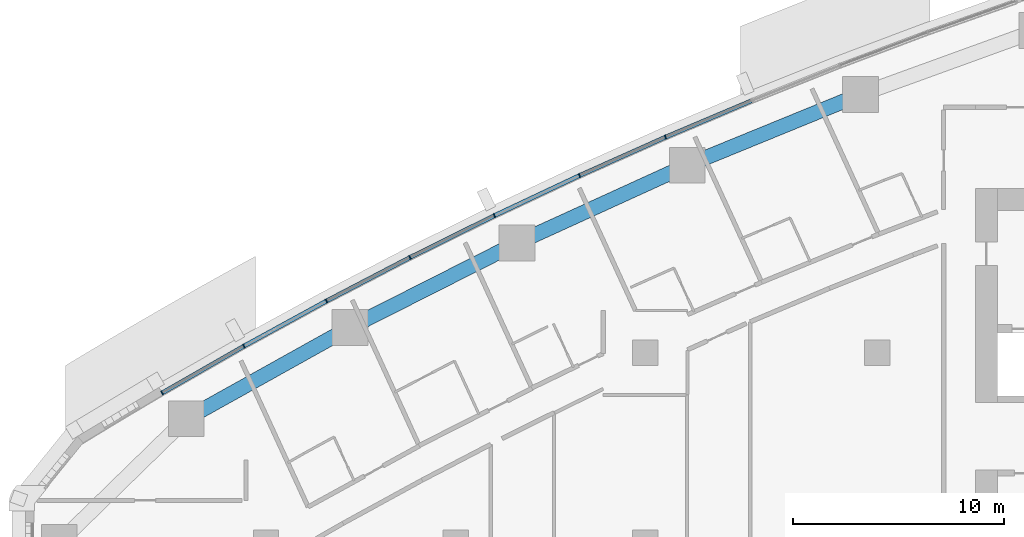
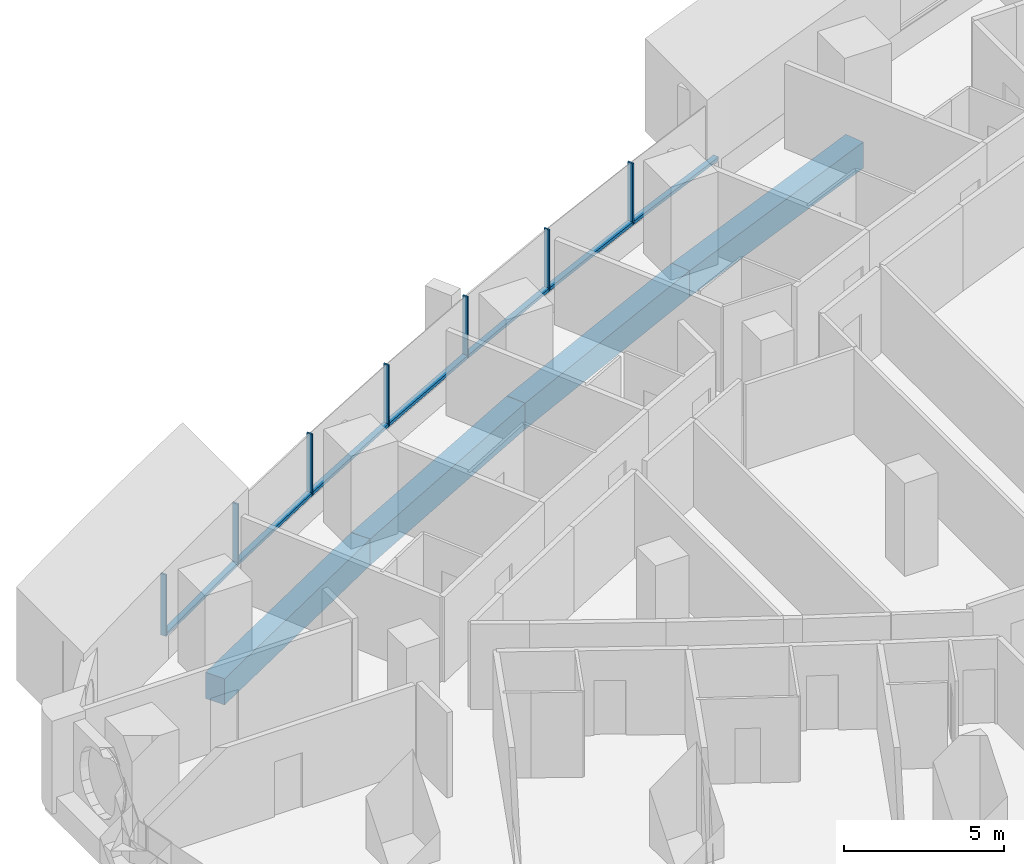
# One storey, part 5 of 17: 14 members, 4 beams, 4 elements without a shape of their own.
"""IFC4 building model written with IfcOpenShell, lengths in metres."""

import ifcopenshell
import ifcopenshell.guid

model = None  # the IFC model being written
_history = None  # IfcOwnerHistory: only IFC2X3 demands one
_inside = {}  # id of a spatial element -> (the spatial element, [elements in it])
_under = {}  # id of a project, library or spatial element -> (it, [spatial elements below it])
_declared = {}  # id of a project -> (the project, [libraries it declares])
_typed = {}  # id of a type object -> (the type object, [elements of that type])
_made_of = {}  # id of a material, layer set ... -> (it, [elements and type objects made of it])


def new_model(schema):
    """Start an empty IFC model of exactly this schema.

    Asked for "IFC4X3", IfcOpenShell would pick the latest addendum, in which some entities
    have other attributes; the version numbers below select the first issue.
    IFC2X3 requires an IfcOwnerHistory on every rooted entity: one is made here for all.
    """
    global model, _history
    if schema == "IFC4X3":
        model = ifcopenshell.file(schema_version=(4, 3, 0, 0))
    else:
        model = ifcopenshell.file(schema=schema)
    _inside.clear()
    _under.clear()
    _declared.clear()
    _typed.clear()
    _made_of.clear()
    _history = None
    if model.schema == "IFC2X3":
        org = make("IfcOrganization", Name="unknown")
        user = make(
            "IfcPersonAndOrganization",
            ThePerson=make("IfcPerson", FamilyName="unknown"),
            TheOrganization=org,
        )
        app = make(
            "IfcApplication",
            ApplicationDeveloper=org,
            Version="unknown",
            ApplicationFullName="unknown",
            ApplicationIdentifier="unknown",
        )
        _history = make(
            "IfcOwnerHistory",
            OwningUser=user,
            OwningApplication=app,
            ChangeAction="ADDED",
            CreationDate=0,
        )
    return model


def make(cls, **values):
    """One entity of the class cls with the attributes given. An attribute that is None is left unset."""
    return model.create_entity(
        cls, **{name: value for name, value in values.items() if value is not None}
    )


def rooted(cls, **values):
    """An entity with a GlobalId (a new one), such as an element, a storey or a relation."""
    return make(cls, GlobalId=ifcopenshell.guid.new(), OwnerHistory=_history, **values)


def si_unit(unit_type, name, prefix=None):
    """IfcSIUnit, for example si_unit("LENGTHUNIT", "METRE", prefix="MILLI")."""
    return make("IfcSIUnit", UnitType=unit_type, Prefix=prefix, Name=name)


def assignment(units):
    """IfcUnitAssignment: the units of a project."""
    return None if units is None else make("IfcUnitAssignment", Units=units)


def point(xyz):
    """IfcCartesianPoint."""
    return None if xyz is None else make("IfcCartesianPoint", Coordinates=xyz)


def direction(xyz):
    """IfcDirection."""
    return None if xyz is None else make("IfcDirection", DirectionRatios=xyz)


def frame(location, z_axis=None, x_axis=None):
    """IfcAxis2Placement3D, a coordinate frame: its origin and axes. An axis left out is left unset."""
    return make(
        "IfcAxis2Placement3D",
        Location=point(location),
        Axis=direction(z_axis),
        RefDirection=direction(x_axis),
    )


def frame_2d(location, x_axis=None):
    """IfcAxis2Placement2D, a coordinate frame in the plane: its origin and x axis."""
    return make(
        "IfcAxis2Placement2D", Location=point(location), RefDirection=direction(x_axis)
    )


def origin():
    """The frame at (0, 0, 0) with its axes left unset."""
    return frame((0.0, 0.0, 0.0))


def origin_2d():
    """The frame at (0, 0) in the plane with its x axis left unset."""
    return frame_2d((0.0, 0.0))


def place(relative_to, where):
    """IfcLocalPlacement: puts the frame where relative to a parent placement (None: the world)."""
    return make(
        "IfcLocalPlacement", PlacementRelTo=relative_to, RelativePlacement=where
    )


def context(
    kind, dimensions, precision=None, world=None, true_north=None, identifier=None
):
    """IfcGeometricRepresentationContext, for example the 3D "Model" context."""
    return make(
        "IfcGeometricRepresentationContext",
        ContextIdentifier=identifier,
        ContextType=kind,
        CoordinateSpaceDimension=dimensions,
        Precision=precision,
        WorldCoordinateSystem=world,
        TrueNorth=true_north,
    )


def subcontext(parent, identifier, kind, view, scale=None):
    """IfcGeometricRepresentationSubContext, for example "Body" below "Model"."""
    return make(
        "IfcGeometricRepresentationSubContext",
        ContextIdentifier=identifier,
        ContextType=kind,
        ParentContext=parent,
        TargetScale=scale,
        TargetView=view,
    )


def project(units=None, contexts=None):
    """IfcProject with its units and contexts."""
    return rooted(
        "IfcProject",
        Name="project",
        RepresentationContexts=contexts,
        UnitsInContext=assignment(units),
    )


def spatial(cls, under=None, at=None, **own):
    """A site, building, storey or space (cls), placed at a placement, below another one or the project."""
    s = rooted(cls, ObjectPlacement=at, **own)
    if under is not None:
        _under.setdefault(under.id(), (under, []))[1].append(s)
    return s


def profile(cls, at=None, kind="AREA", **sizes):
    """A parametric profile (cls). Its sizes go by their IFC names, for example OverallWidth=200.0."""
    return make(cls, ProfileType=kind, Position=at, **sizes)


def rectangle(**sizes):
    """IfcRectangleProfileDef."""
    return profile("IfcRectangleProfileDef", **sizes)


def extrude(swept, where, along, depth):
    """IfcExtrudedAreaSolid: the profile swept, set in the frame where, extruded along a direction by depth."""
    return make(
        "IfcExtrudedAreaSolid",
        SweptArea=swept,
        Position=where,
        ExtrudedDirection=direction(along),
        Depth=depth,
    )


def shape(context_of_items, identifier, shape_type, items):
    """IfcShapeRepresentation: the items that make up one representation, for example the "Body"."""
    return make(
        "IfcShapeRepresentation",
        ContextOfItems=context_of_items,
        RepresentationIdentifier=identifier,
        RepresentationType=shape_type,
        Items=items,
    )


def material(Name=None, Category=None):
    """IfcMaterial."""
    return make("IfcMaterial", Name=Name, Category=Category)


def layer(
    of_material, thickness, ventilated=None, Name=None, Category=None, Priority=None
):
    """IfcMaterialLayer: one layer of a wall or slab, of a material (None: an air gap)."""
    return make(
        "IfcMaterialLayer",
        Material=of_material,
        LayerThickness=thickness,
        IsVentilated=ventilated,
        Name=Name,
        Category=Category,
        Priority=Priority,
    )


def layer_set(layers, Name=None):
    """IfcMaterialLayerSet."""
    return make("IfcMaterialLayerSet", MaterialLayers=layers, LayerSetName=Name)


def material_profile(
    of_material, cross_section, Name=None, Category=None, Priority=None
):
    """IfcMaterialProfile: a cross section and its material."""
    return make(
        "IfcMaterialProfile",
        Name=Name,
        Material=of_material,
        Profile=cross_section,
        Priority=Priority,
        Category=Category,
    )


def profile_set(profiles, Name=None, composite=None):
    """IfcMaterialProfileSet."""
    return make(
        "IfcMaterialProfileSet",
        Name=Name,
        MaterialProfiles=profiles,
        CompositeProfile=composite,
    )


def made_of(thing, what):
    """Note that an element or type object is made of a material, layer set ...; save() writes the relation."""
    if what is not None:
        _made_of.setdefault(what.id(), (what, []))[1].append(thing)
    return thing


def type_object(cls, material=None, **own):
    """A type object (cls), such as IfcWallType, which elements share."""
    return made_of(rooted(cls, **own), material)


def element(
    cls,
    number,
    at=None,
    inside=None,
    cuts=None,
    type_object=None,
    material=None,
    context=None,
    identifier="Body",
    shape_type=None,
    held_by="IfcProductDefinitionShape",
    body=None,
    shapes=None,
    **own,
):
    """One element of the class cls, such as IfcWall. Its Tag is "e" and its number.

    at: its placement. inside: the storey or other place that contains it. cuts: it is an
    opening in that element (IfcRelVoidsElement). A single representation is given by context,
    identifier, shape_type and body (its items); several are given by shapes. held_by: the class
    of the entity that holds the representations. save() writes the other relations.
    """
    e = rooted(cls, Tag="e%d" % number, ObjectPlacement=at, **own)
    if body is not None:
        shapes = [shape(context, identifier, shape_type, body)]
    if shapes is not None:
        e.Representation = make(held_by, Representations=shapes)
    if inside is not None:
        _inside.setdefault(inside.id(), (inside, []))[1].append(e)
    if cuts is not None:
        rooted(
            "IfcRelVoidsElement", RelatingBuildingElement=cuts, RelatedOpeningElement=e
        )
    if type_object is not None:
        _typed.setdefault(type_object.id(), (type_object, []))[1].append(e)
    return made_of(e, material)


def aggregate(whole, parts):
    """IfcRelAggregates: a whole, such as a stair, and the parts it consists of."""
    return rooted("IfcRelAggregates", RelatingObject=whole, RelatedObjects=parts)


def save(model, path):
    """Write the relations noted so far, then the file.

    IfcRelAggregates (storeys below a building ...), IfcRelContainedInSpatialStructure (elements
    in a storey), IfcRelDefinesByType, IfcRelAssociatesMaterial and IfcRelDeclares: one each for
    every whole, place, type object, material and project.
    """
    for whole, parts in _under.values():
        aggregate(whole, parts)
    for where, things in _inside.values():
        rooted(
            "IfcRelContainedInSpatialStructure",
            RelatedElements=things,
            RelatingStructure=where,
        )
    for kind, things in _typed.values():
        rooted("IfcRelDefinesByType", RelatedObjects=things, RelatingType=kind)
    for what, things in _made_of.values():
        rooted("IfcRelAssociatesMaterial", RelatedObjects=things, RelatingMaterial=what)
    for by, libraries in _declared.values():
        rooted("IfcRelDeclares", RelatingContext=by, RelatedDefinitions=libraries)
    model.write(path)


model = new_model("IFC4")

# Units and contexts
model_context = context("Model", 3, precision=1e-05, world=origin(), true_north=direction((0.0, 1.0)))
body_context = subcontext(model_context, "Body", "Model", "MODEL_VIEW")
ifc_project = project(units=[si_unit("LENGTHUNIT", "METRE"), si_unit("AREAUNIT", "SQUARE_METRE"), si_unit("VOLUMEUNIT", "CUBIC_METRE"), si_unit("PLANEANGLEUNIT", "RADIAN"), si_unit("MASSUNIT", "GRAM", prefix="KILO")], contexts=[model_context])

# Site, building, storey
site_placement = place(None, origin())
site = spatial("IfcSite", under=ifc_project, at=site_placement, CompositionType="ELEMENT")
building_placement = place(site_placement, origin())
building = spatial("IfcBuilding", under=site, at=building_placement, Name="Ostrand Prow Hotel Tower", CompositionType="ELEMENT")
storey_placement = place(building_placement, frame((0.0, 0.0, 109.75)))
storey = spatial("IfcBuildingStorey", under=building, at=storey_placement, Name="L26", CompositionType="ELEMENT", Elevation=109.75)

# Beams
ifc_material_1 = material(Name="Concrete C80/95", Category="concrete")
ifc_material_profile_1 = material_profile(ifc_material_1, rectangle(XDim=0.699951171875, YDim=1.0, at=origin_2d()), Name="RC 700x1000")
ifc_profile_set_1 = profile_set([ifc_material_profile_1], Name="Concrete C80/95")
beam_type = type_object("IfcBeamType", Name="Edge beam 700x1000 C80/95", PredefinedType="SPANDREL", material=ifc_profile_set_1)
beam_1_placement = place(storey_placement, frame((44.210693359375, 21.263671875, -0.800048828125), z_axis=(-0.925612172894, -0.378473387955, 0.0), x_axis=(0.378473387955, -0.925612172894, 0.0)))
element("IfcBeam", 1, at=beam_1_placement, inside=storey, type_object=beam_type, Name="Edge beam N2-N3", PredefinedType="SPANDREL", context=body_context, shape_type="SweptSolid", body=[
    extrude(rectangle(XDim=0.699951171875, YDim=1.0, at=origin_2d()), origin(), (0.0, 0.0, 1.0), 8.88330078125),
])
beam_2_placement = place(storey_placement, frame((35.98828125, 17.901611328125, -0.800048828125), z_axis=(-0.909681006953, -0.415307675813, 0.0), x_axis=(0.415307675813, -0.909681006953, 0.0)))
element("IfcBeam", 2, at=beam_2_placement, inside=storey, type_object=beam_type, Name="Edge beam N3-N4", PredefinedType="SPANDREL", context=body_context, shape_type="SweptSolid", body=[
    extrude(rectangle(XDim=0.699951171875, YDim=1.0, at=origin_2d()), origin(), (0.0, 0.0, 1.0), 8.883544921875),
])
beam_3_placement = place(storey_placement, frame((27.906982421875, 14.212158203125, -0.800048828125), z_axis=(-0.892284288592, -0.451473973039, 0.0), x_axis=(0.451473973039, -0.892284288592, 0.0)))
element("IfcBeam", 3, at=beam_3_placement, inside=storey, type_object=beam_type, Name="Edge beam N4-N5", PredefinedType="SPANDREL", context=body_context, shape_type="SweptSolid", body=[
    extrude(rectangle(XDim=0.699951171875, YDim=1.0, at=origin_2d()), origin(), (0.0, 0.0, 1.0), 8.883056640625),
])
beam_4_placement = place(storey_placement, frame((19.980712890625, 10.20166015625, -0.800048828125), z_axis=(-0.873452439955, -0.486909473245, 0.0), x_axis=(0.486909473245, -0.873452439955, 0.0)))
element("IfcBeam", 4, at=beam_4_placement, inside=storey, type_object=beam_type, Name="Edge beam N5-N6", PredefinedType="SPANDREL", context=body_context, shape_type="SweptSolid", body=[
    extrude(rectangle(XDim=0.699951171875, YDim=1.0, at=origin_2d()), origin(), (0.0, 0.0, 1.0), 8.883544921875),
])

# Curtain wall, member
ifc_material_2 = material(Name="Insulated glass in bronze anodised frame", Category="glass")
ifc_layer = layer(ifc_material_2, 0.199951171875)
ifc_layer_set = layer_set([ifc_layer], Name="Insulated glass in bronze anodised frame")
curtain_wall_type = type_object("IfcCurtainWallType", Name="Strip curtain wall, fritted glass over bronze spandrel", PredefinedType="NOTDEFINED", material=ifc_layer_set)
curtain_wall_1_placement = place(storey_placement, origin())
curtain_wall_1 = element("IfcCurtainWall", 5, at=curtain_wall_1_placement, inside=storey, type_object=curtain_wall_type, Name="CW1 run CWN2", PredefinedType="NOTDEFINED")
ifc_material_3 = material(Name="Bronze anodised aluminium", Category="aluminium")
ifc_material_profile_2 = material_profile(ifc_material_3, rectangle(XDim=0.199951171875, YDim=0.06005859375, at=origin_2d()), Name="Mullion 60x200 bronze anodised aluminium")
ifc_profile_set_2 = profile_set([ifc_material_profile_2], Name="Bronze anodised aluminium")
member_type_1 = type_object("IfcMemberType", Name="Mullion 60x200 bronze anodised aluminium", PredefinedType="MULLION", material=ifc_profile_set_2)
member_1_placement = place(storey_placement, frame((34.95068359375, 19.233154296875, 0.89990234375), z_axis=(0.0, 0.0, 1.0), x_axis=(0.389506566255, -0.921023688536, 0.0)))
member_1 = element("IfcMember", 6, at=member_1_placement, type_object=member_type_1, Name="CW1 mullion 3", PredefinedType="MULLION", context=body_context, shape_type="SweptSolid", body=[
    extrude(rectangle(XDim=0.199951171875, YDim=0.06005859375, at=origin_2d()), origin(), (0.0, 0.0, 1.0), 2.35009765625),
])

# Curtain wall, members
curtain_wall_2_placement = place(storey_placement, origin())
curtain_wall_2 = element("IfcCurtainWall", 7, at=curtain_wall_2_placement, inside=storey, type_object=curtain_wall_type, Name="CW1 run CWN3", PredefinedType="NOTDEFINED")
member_2_placement = place(storey_placement, frame((30.872802734375, 17.41162109375, 0.89990234375), z_axis=(0.0, 0.0, 1.0), x_axis=(0.426079320162, -0.904685808958, 0.0)))
member_2 = element("IfcMember", 8, at=member_2_placement, type_object=member_type_1, Name="CW1 mullion 2", PredefinedType="MULLION", context=body_context, shape_type="SweptSolid", body=[
    extrude(rectangle(XDim=0.199951171875, YDim=0.06005859375, at=origin_2d()), origin(), (0.0, 0.0, 1.0), 2.35009765625),
])
member_3_placement = place(storey_placement, frame((26.83251953125, 15.508544921875, 0.89990234375), z_axis=(0.0, 0.0, 1.0), x_axis=(0.426079320162, -0.904685808958, 0.0)))
member_3 = element("IfcMember", 9, at=member_3_placement, type_object=member_type_1, Name="CW1 mullion 3", PredefinedType="MULLION", context=body_context, shape_type="SweptSolid", body=[
    extrude(rectangle(XDim=0.199951171875, YDim=0.06005859375, at=origin_2d()), origin(), (0.0, 0.0, 1.0), 2.35009765625),
])

curtain_wall_3_placement = place(storey_placement, origin())
curtain_wall_3 = element("IfcCurtainWall", 10, at=curtain_wall_3_placement, inside=storey, type_object=curtain_wall_type, Name="CW1 run CWN4", PredefinedType="NOTDEFINED")
member_4_placement = place(storey_placement, frame((22.831298828125, 13.525146484375, 0.89990234375), z_axis=(0.0, 0.0, 1.0), x_axis=(0.461968432937, -0.886896367661, 0.0)))
member_4 = element("IfcMember", 11, at=member_4_placement, type_object=member_type_1, Name="CW1 mullion 2", PredefinedType="MULLION", context=body_context, shape_type="SweptSolid", body=[
    extrude(rectangle(XDim=0.199951171875, YDim=0.06005859375, at=origin_2d()), origin(), (0.0, 0.0, 1.0), 2.35009765625),
])
member_5_placement = place(storey_placement, frame((18.870361328125, 11.4619140625, 0.89990234375), z_axis=(0.0, 0.0, 1.0), x_axis=(0.461968432937, -0.886896367661, 0.0)))
member_5 = element("IfcMember", 12, at=member_5_placement, type_object=member_type_1, Name="CW1 mullion 3", PredefinedType="MULLION", context=body_context, shape_type="SweptSolid", body=[
    extrude(rectangle(XDim=0.199951171875, YDim=0.06005859375, at=origin_2d()), origin(), (0.0, 0.0, 1.0), 2.35009765625),
])

curtain_wall_4_placement = place(storey_placement, origin())
curtain_wall_4 = element("IfcCurtainWall", 13, at=curtain_wall_4_placement, inside=storey, type_object=curtain_wall_type, Name="CW1 run CWN5", PredefinedType="NOTDEFINED")
member_6_placement = place(storey_placement, frame((14.951416015625, 9.320068359375, 0.89990234375), z_axis=(0.0, 0.0, 1.0), x_axis=(0.497114806368, -0.867684775301, 0.0)))
member_6 = element("IfcMember", 14, at=member_6_placement, type_object=member_type_1, Name="CW1 mullion 2", PredefinedType="MULLION", context=body_context, shape_type="SweptSolid", body=[
    extrude(rectangle(XDim=0.199951171875, YDim=0.06005859375, at=origin_2d()), origin(), (0.0, 0.0, 1.0), 2.35009765625),
])
member_7_placement = place(storey_placement, frame((11.076416015625, 7.099853515625, 0.89990234375), z_axis=(0.0, 0.0, 1.0), x_axis=(0.497114806368, -0.867684775301, 0.0)))
member_7 = element("IfcMember", 15, at=member_7_placement, type_object=member_type_1, Name="CW1 mullion 3", PredefinedType="MULLION", context=body_context, shape_type="SweptSolid", body=[
    extrude(rectangle(XDim=0.199951171875, YDim=0.06005859375, at=origin_2d()), origin(), (0.0, 0.0, 1.0), 2.35009765625),
])

# Member
ifc_material_4 = material(Name="Bronze anodised aluminium", Category="aluminium")
ifc_material_profile_3 = material_profile(ifc_material_4, rectangle(XDim=0.199951171875, YDim=0.1201171875, at=origin_2d()), Name="Transom 120x200 bronze anodised aluminium")
ifc_profile_set_3 = profile_set([ifc_material_profile_3], Name="Bronze anodised aluminium")
member_type_2 = type_object("IfcMemberType", Name="Transom 120x200 bronze anodised aluminium", PredefinedType="USERDEFINED", material=ifc_profile_set_3)
member_8_placement = place(storey_placement, frame((39.0361328125, 20.9609375, 0.9599609375), z_axis=(-0.921006250528, -0.389547797438, 0.0), x_axis=(0.389547797438, -0.921006250528, 0.0)))
member_8 = element("IfcMember", 16, at=member_8_placement, type_object=member_type_2, Name="CW1 transom 2.1", ObjectType="TRANSOM", PredefinedType="USERDEFINED", context=body_context, shape_type="SweptSolid", body=[
    extrude(rectangle(XDim=0.199951171875, YDim=0.1201171875, at=origin_2d()), origin(), (0.0, 0.0, 1.0), 4.406005859375),
])

aggregate(curtain_wall_1, [member_1, member_8])

member_9_placement = place(storey_placement, frame((34.923095703125, 19.220703125, 0.9599609375), z_axis=(-0.913030665163, -0.407890922271, 0.0), x_axis=(0.407890922271, -0.913030665163, 0.0)))
member_9 = element("IfcMember", 17, at=member_9_placement, type_object=member_type_2, Name="CW1 transom 1.1", ObjectType="TRANSOM", PredefinedType="USERDEFINED", context=body_context, shape_type="SweptSolid", body=[
    extrude(rectangle(XDim=0.199951171875, YDim=0.1201171875, at=origin_2d()), origin(), (0.0, 0.0, 1.0), 4.40576171875),
])

member_10_placement = place(storey_placement, frame((30.845703125, 17.398681640625, 0.9599609375), z_axis=(-0.904696854963, -0.42605586561, 0.0), x_axis=(0.42605586561, -0.904696854963, 0.0)))
member_10 = element("IfcMember", 18, at=member_10_placement, type_object=member_type_2, Name="CW1 transom 2.1", ObjectType="TRANSOM", PredefinedType="USERDEFINED", context=body_context, shape_type="SweptSolid", body=[
    extrude(rectangle(XDim=0.199951171875, YDim=0.1201171875, at=origin_2d()), origin(), (0.0, 0.0, 1.0), 4.406005859375),
])

aggregate(curtain_wall_2, [member_2, member_3, member_9, member_10])

member_11_placement = place(storey_placement, frame((26.8056640625, 15.495361328125, 0.9599609375), z_axis=(-0.895962348168, -0.444130015497, 0.0), x_axis=(0.444130015497, -0.895962348168, 0.0)))
member_11 = element("IfcMember", 19, at=member_11_placement, type_object=member_type_2, Name="CW1 transom 1.1", ObjectType="TRANSOM", PredefinedType="USERDEFINED", context=body_context, shape_type="SweptSolid", body=[
    extrude(rectangle(XDim=0.199951171875, YDim=0.1201171875, at=origin_2d()), origin(), (0.0, 0.0, 1.0), 4.406005859375),
])

member_12_placement = place(storey_placement, frame((22.8046875, 13.51123046875, 0.9599609375), z_axis=(-0.886901787206, -0.461958028235, 0.0), x_axis=(0.461958028235, -0.886901787206, 0.0)))
member_12 = element("IfcMember", 20, at=member_12_placement, type_object=member_type_2, Name="CW1 transom 2.1", ObjectType="TRANSOM", PredefinedType="USERDEFINED", context=body_context, shape_type="SweptSolid", body=[
    extrude(rectangle(XDim=0.199951171875, YDim=0.1201171875, at=origin_2d()), origin(), (0.0, 0.0, 1.0), 4.406005859375),
])

aggregate(curtain_wall_3, [member_4, member_5, member_11, member_12])

member_13_placement = place(storey_placement, frame((18.843994140625, 11.44775390625, 0.9599609375), z_axis=(-0.877471714137, -0.479628388328, 0.0), x_axis=(0.479628388328, -0.877471714137, 0.0)))
member_13 = element("IfcMember", 21, at=member_13_placement, type_object=member_type_2, Name="CW1 transom 1.1", ObjectType="TRANSOM", PredefinedType="USERDEFINED", context=body_context, shape_type="SweptSolid", body=[
    extrude(rectangle(XDim=0.199951171875, YDim=0.1201171875, at=origin_2d()), origin(), (0.0, 0.0, 1.0), 4.406005859375),
])

member_14_placement = place(storey_placement, frame((14.925537109375, 9.30517578125, 0.9599609375), z_axis=(-0.86766970623, -0.497141107625, 0.0), x_axis=(0.497141107625, -0.86766970623, 0.0)))
member_14 = element("IfcMember", 22, at=member_14_placement, type_object=member_type_2, Name="CW1 transom 2.1", ObjectType="TRANSOM", PredefinedType="USERDEFINED", context=body_context, shape_type="SweptSolid", body=[
    extrude(rectangle(XDim=0.199951171875, YDim=0.1201171875, at=origin_2d()), origin(), (0.0, 0.0, 1.0), 4.406005859375),
])

aggregate(curtain_wall_4, [member_6, member_7, member_13, member_14])

save(model, "model.ifc")
